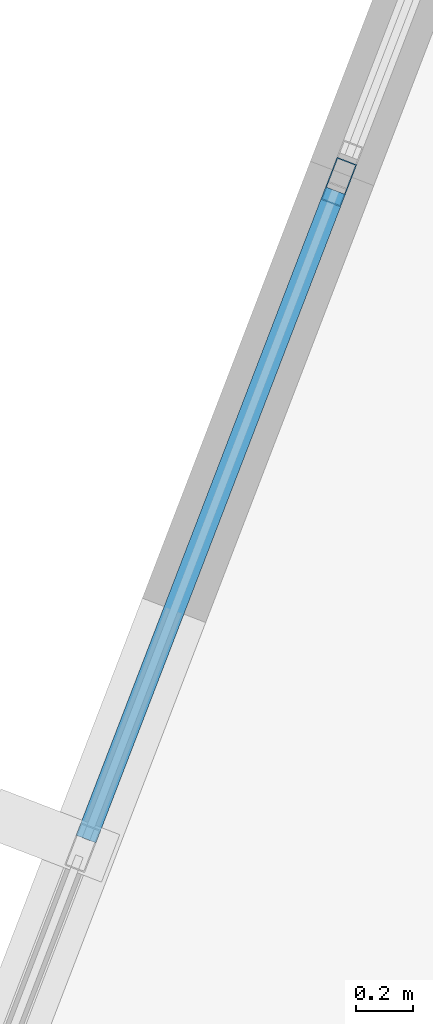
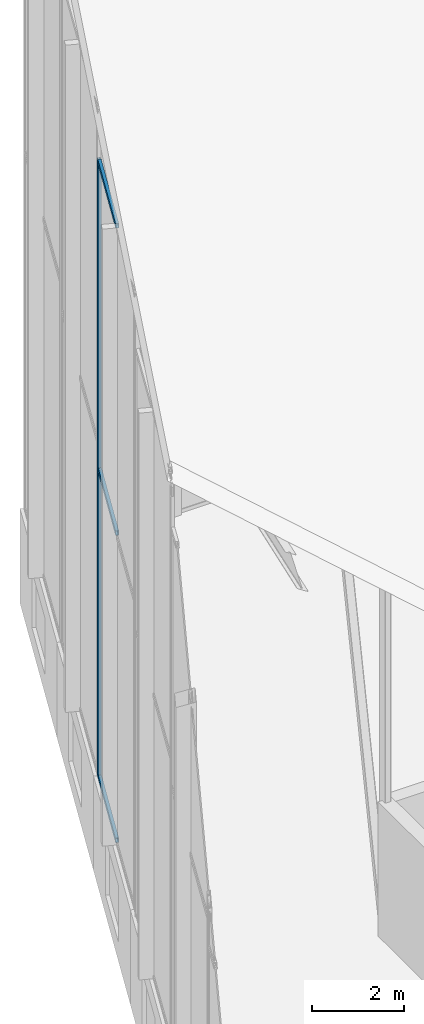
# One storey, part 26 of 74: 4 members, 1 element without a shape of its own.
"""IFC4 building model written with IfcOpenShell, lengths in metres."""

import ifcopenshell
import ifcopenshell.guid

model = None  # the IFC model being written
_history = None  # IfcOwnerHistory: only IFC2X3 demands one
_inside = {}  # id of a spatial element -> (the spatial element, [elements in it])
_under = {}  # id of a project, library or spatial element -> (it, [spatial elements below it])
_declared = {}  # id of a project -> (the project, [libraries it declares])
_typed = {}  # id of a type object -> (the type object, [elements of that type])
_made_of = {}  # id of a material, layer set ... -> (it, [elements and type objects made of it])


def new_model(schema):
    """Start an empty IFC model of exactly this schema.

    Asked for "IFC4X3", IfcOpenShell would pick the latest addendum, in which some entities
    have other attributes; the version numbers below select the first issue.
    IFC2X3 requires an IfcOwnerHistory on every rooted entity: one is made here for all.
    """
    global model, _history
    if schema == "IFC4X3":
        model = ifcopenshell.file(schema_version=(4, 3, 0, 0))
    else:
        model = ifcopenshell.file(schema=schema)
    _inside.clear()
    _under.clear()
    _declared.clear()
    _typed.clear()
    _made_of.clear()
    _history = None
    if model.schema == "IFC2X3":
        org = make("IfcOrganization", Name="unknown")
        user = make(
            "IfcPersonAndOrganization",
            ThePerson=make("IfcPerson", FamilyName="unknown"),
            TheOrganization=org,
        )
        app = make(
            "IfcApplication",
            ApplicationDeveloper=org,
            Version="unknown",
            ApplicationFullName="unknown",
            ApplicationIdentifier="unknown",
        )
        _history = make(
            "IfcOwnerHistory",
            OwningUser=user,
            OwningApplication=app,
            ChangeAction="ADDED",
            CreationDate=0,
        )
    return model


def make(cls, **values):
    """One entity of the class cls with the attributes given. An attribute that is None is left unset."""
    return model.create_entity(
        cls, **{name: value for name, value in values.items() if value is not None}
    )


def rooted(cls, **values):
    """An entity with a GlobalId (a new one), such as an element, a storey or a relation."""
    return make(cls, GlobalId=ifcopenshell.guid.new(), OwnerHistory=_history, **values)


def si_unit(unit_type, name, prefix=None):
    """IfcSIUnit, for example si_unit("LENGTHUNIT", "METRE", prefix="MILLI")."""
    return make("IfcSIUnit", UnitType=unit_type, Prefix=prefix, Name=name)


def assignment(units):
    """IfcUnitAssignment: the units of a project."""
    return None if units is None else make("IfcUnitAssignment", Units=units)


def point(xyz):
    """IfcCartesianPoint."""
    return None if xyz is None else make("IfcCartesianPoint", Coordinates=xyz)


def direction(xyz):
    """IfcDirection."""
    return None if xyz is None else make("IfcDirection", DirectionRatios=xyz)


def frame(location, z_axis=None, x_axis=None):
    """IfcAxis2Placement3D, a coordinate frame: its origin and axes. An axis left out is left unset."""
    return make(
        "IfcAxis2Placement3D",
        Location=point(location),
        Axis=direction(z_axis),
        RefDirection=direction(x_axis),
    )


def frame_2d(location, x_axis=None):
    """IfcAxis2Placement2D, a coordinate frame in the plane: its origin and x axis."""
    return make(
        "IfcAxis2Placement2D", Location=point(location), RefDirection=direction(x_axis)
    )


def origin():
    """The frame at (0, 0, 0) with its axes left unset."""
    return frame((0.0, 0.0, 0.0))


def origin_2d():
    """The frame at (0, 0) in the plane with its x axis left unset."""
    return frame_2d((0.0, 0.0))


def place(relative_to, where):
    """IfcLocalPlacement: puts the frame where relative to a parent placement (None: the world)."""
    return make(
        "IfcLocalPlacement", PlacementRelTo=relative_to, RelativePlacement=where
    )


def context(
    kind, dimensions, precision=None, world=None, true_north=None, identifier=None
):
    """IfcGeometricRepresentationContext, for example the 3D "Model" context."""
    return make(
        "IfcGeometricRepresentationContext",
        ContextIdentifier=identifier,
        ContextType=kind,
        CoordinateSpaceDimension=dimensions,
        Precision=precision,
        WorldCoordinateSystem=world,
        TrueNorth=true_north,
    )


def subcontext(parent, identifier, kind, view, scale=None):
    """IfcGeometricRepresentationSubContext, for example "Body" below "Model"."""
    return make(
        "IfcGeometricRepresentationSubContext",
        ContextIdentifier=identifier,
        ContextType=kind,
        ParentContext=parent,
        TargetScale=scale,
        TargetView=view,
    )


def project(units=None, contexts=None):
    """IfcProject with its units and contexts."""
    return rooted(
        "IfcProject",
        Name="project",
        RepresentationContexts=contexts,
        UnitsInContext=assignment(units),
    )


def spatial(cls, under=None, at=None, **own):
    """A site, building, storey or space (cls), placed at a placement, below another one or the project."""
    s = rooted(cls, ObjectPlacement=at, **own)
    if under is not None:
        _under.setdefault(under.id(), (under, []))[1].append(s)
    return s


def profile(cls, at=None, kind="AREA", **sizes):
    """A parametric profile (cls). Its sizes go by their IFC names, for example OverallWidth=200.0."""
    return make(cls, ProfileType=kind, Position=at, **sizes)


def hollow_rectangle(**sizes):
    """IfcRectangleHollowProfileDef."""
    return profile("IfcRectangleHollowProfileDef", **sizes)


def extrude(swept, where, along, depth):
    """IfcExtrudedAreaSolid: the profile swept, set in the frame where, extruded along a direction by depth."""
    return make(
        "IfcExtrudedAreaSolid",
        SweptArea=swept,
        Position=where,
        ExtrudedDirection=direction(along),
        Depth=depth,
    )


def shape(context_of_items, identifier, shape_type, items):
    """IfcShapeRepresentation: the items that make up one representation, for example the "Body"."""
    return make(
        "IfcShapeRepresentation",
        ContextOfItems=context_of_items,
        RepresentationIdentifier=identifier,
        RepresentationType=shape_type,
        Items=items,
    )


def material(Name=None, Category=None):
    """IfcMaterial."""
    return make("IfcMaterial", Name=Name, Category=Category)


def layer(
    of_material, thickness, ventilated=None, Name=None, Category=None, Priority=None
):
    """IfcMaterialLayer: one layer of a wall or slab, of a material (None: an air gap)."""
    return make(
        "IfcMaterialLayer",
        Material=of_material,
        LayerThickness=thickness,
        IsVentilated=ventilated,
        Name=Name,
        Category=Category,
        Priority=Priority,
    )


def layer_set(layers, Name=None):
    """IfcMaterialLayerSet."""
    return make("IfcMaterialLayerSet", MaterialLayers=layers, LayerSetName=Name)


def material_profile(
    of_material, cross_section, Name=None, Category=None, Priority=None
):
    """IfcMaterialProfile: a cross section and its material."""
    return make(
        "IfcMaterialProfile",
        Name=Name,
        Material=of_material,
        Profile=cross_section,
        Priority=Priority,
        Category=Category,
    )


def profile_set(profiles, Name=None, composite=None):
    """IfcMaterialProfileSet."""
    return make(
        "IfcMaterialProfileSet",
        Name=Name,
        MaterialProfiles=profiles,
        CompositeProfile=composite,
    )


def made_of(thing, what):
    """Note that an element or type object is made of a material, layer set ...; save() writes the relation."""
    if what is not None:
        _made_of.setdefault(what.id(), (what, []))[1].append(thing)
    return thing


def type_object(cls, material=None, **own):
    """A type object (cls), such as IfcWallType, which elements share."""
    return made_of(rooted(cls, **own), material)


def element(
    cls,
    number,
    at=None,
    inside=None,
    cuts=None,
    type_object=None,
    material=None,
    context=None,
    identifier="Body",
    shape_type=None,
    held_by="IfcProductDefinitionShape",
    body=None,
    shapes=None,
    **own,
):
    """One element of the class cls, such as IfcWall. Its Tag is "e" and its number.

    at: its placement. inside: the storey or other place that contains it. cuts: it is an
    opening in that element (IfcRelVoidsElement). A single representation is given by context,
    identifier, shape_type and body (its items); several are given by shapes. held_by: the class
    of the entity that holds the representations. save() writes the other relations.
    """
    e = rooted(cls, Tag="e%d" % number, ObjectPlacement=at, **own)
    if body is not None:
        shapes = [shape(context, identifier, shape_type, body)]
    if shapes is not None:
        e.Representation = make(held_by, Representations=shapes)
    if inside is not None:
        _inside.setdefault(inside.id(), (inside, []))[1].append(e)
    if cuts is not None:
        rooted(
            "IfcRelVoidsElement", RelatingBuildingElement=cuts, RelatedOpeningElement=e
        )
    if type_object is not None:
        _typed.setdefault(type_object.id(), (type_object, []))[1].append(e)
    return made_of(e, material)


def aggregate(whole, parts):
    """IfcRelAggregates: a whole, such as a stair, and the parts it consists of."""
    return rooted("IfcRelAggregates", RelatingObject=whole, RelatedObjects=parts)


def save(model, path):
    """Write the relations noted so far, then the file.

    IfcRelAggregates (storeys below a building ...), IfcRelContainedInSpatialStructure (elements
    in a storey), IfcRelDefinesByType, IfcRelAssociatesMaterial and IfcRelDeclares: one each for
    every whole, place, type object, material and project.
    """
    for whole, parts in _under.values():
        aggregate(whole, parts)
    for where, things in _inside.values():
        rooted(
            "IfcRelContainedInSpatialStructure",
            RelatedElements=things,
            RelatingStructure=where,
        )
    for kind, things in _typed.values():
        rooted("IfcRelDefinesByType", RelatedObjects=things, RelatingType=kind)
    for what, things in _made_of.values():
        rooted("IfcRelAssociatesMaterial", RelatedObjects=things, RelatingMaterial=what)
    for by, libraries in _declared.values():
        rooted("IfcRelDeclares", RelatingContext=by, RelatedDefinitions=libraries)
    model.write(path)


model = new_model("IFC4")

# Units and contexts
model_context = context("Model", 3, precision=1e-05, world=origin(), true_north=direction((0.0, 1.0)))
body_context = subcontext(model_context, "Body", "Model", "MODEL_VIEW")
ifc_project = project(units=[si_unit("LENGTHUNIT", "METRE"), si_unit("AREAUNIT", "SQUARE_METRE"), si_unit("VOLUMEUNIT", "CUBIC_METRE"), si_unit("PLANEANGLEUNIT", "RADIAN"), si_unit("MASSUNIT", "GRAM", prefix="KILO")], contexts=[model_context])

# Site, building, storey
site_placement = place(None, origin())
site = spatial("IfcSite", under=ifc_project, at=site_placement, CompositionType="ELEMENT")
building_placement = place(site_placement, origin())
building = spatial("IfcBuilding", under=site, at=building_placement, Name="Keshet Zoharim Tower", CompositionType="ELEMENT")
storey_placement = place(building_placement, frame((0.0, 0.0, 320.0)))
storey = spatial("IfcBuildingStorey", under=building, at=storey_placement, Name="RF", CompositionType="ELEMENT", Elevation=320.0)

# Curtain wall, members
ifc_material = material(Name="Aluminium 6063-T6", Category="aluminium")
ifc_layer = layer(ifc_material, 0.260009765625)
ifc_layer_set = layer_set([ifc_layer], Name="Aluminium 6063-T6")
curtain_wall_type = type_object("IfcCurtainWallType", Name="CW-SYS-06", PredefinedType="NOTDEFINED", material=ifc_layer_set)
curtain_wall_placement = place(storey_placement, origin())
curtain_wall = element("IfcCurtainWall", 1, at=curtain_wall_placement, inside=storey, type_object=curtain_wall_type, Name="Slanted Crown Curtain Wall 06", PredefinedType="NOTDEFINED")
ifc_material_profile_1 = material_profile(ifc_material, hollow_rectangle(XDim=0.074951171875, YDim=0.159912109375, WallThickness=0.00390625, at=origin_2d()), Name="MUL-75x160")
ifc_profile_set_1 = profile_set([ifc_material_profile_1], Name="Aluminium 6063-T6")
member_type_1 = type_object("IfcMemberType", Name="CWM-M15", PredefinedType="MULLION", material=ifc_profile_set_1)
member_1_placement = place(storey_placement, frame((10.825439453125, 43.045654296875, 2.5), z_axis=(0.0, 0.0, 1.0), x_axis=(-0.933320389385, 0.359044636163, 0.0)))
member_1 = element("IfcMember", 2, at=member_1_placement, type_object=member_type_1, Name="CW-06 mullion 3", PredefinedType="MULLION", context=body_context, shape_type="SweptSolid", body=[
    extrude(hollow_rectangle(XDim=0.074951171875, YDim=0.159912109375, WallThickness=0.00390625, at=origin_2d()), origin(), (0.0, 0.0, 1.0), 16.30810546875),
])
ifc_material_profile_2 = material_profile(ifc_material, hollow_rectangle(XDim=0.074951171875, YDim=0.1201171875, WallThickness=0.00390625, at=origin_2d()), Name="TRN-75x120")
ifc_profile_set_2 = profile_set([ifc_material_profile_2], Name="Aluminium 6063-T6")
member_type_2 = type_object("IfcMemberType", Name="CWT-T12", PredefinedType="USERDEFINED", material=ifc_profile_set_2)
member_2_placement = place(storey_placement, frame((9.93115234375, 40.721435546875, 2.532470703125), z_axis=(0.359078919535, 0.933307199986, 0.0), x_axis=(-0.933307199986, 0.359078919535, 0.0)))
member_2 = element("IfcMember", 3, at=member_2_placement, type_object=member_type_2, Name="CW-06 transom 2.1", ObjectType="TRANSOM", PredefinedType="USERDEFINED", context=body_context, shape_type="SweptSolid", body=[
    extrude(hollow_rectangle(XDim=0.074951171875, YDim=0.1201171875, WallThickness=0.00390625, at=origin_2d()), origin(), (0.0, 0.0, 1.0), 2.457763671875),
])
member_3_placement = place(storey_placement, frame((9.93115234375, 40.721435546875, 10.654052734375), z_axis=(0.359078919535, 0.933307199986, 0.0), x_axis=(-0.933307199986, 0.359078919535, 0.0)))
member_3 = element("IfcMember", 4, at=member_3_placement, type_object=member_type_2, Name="CW-06 transom 2.2", ObjectType="TRANSOM", PredefinedType="USERDEFINED", context=body_context, shape_type="SweptSolid", body=[
    extrude(hollow_rectangle(XDim=0.074951171875, YDim=0.1201171875, WallThickness=0.00390625, at=origin_2d()), origin(), (0.0, 0.0, 1.0), 2.457763671875),
])
member_4_placement = place(storey_placement, frame((9.93115234375, 40.721435546875, 18.775390625), z_axis=(0.359078919535, 0.933307199986, 0.0), x_axis=(-0.933307199986, 0.359078919535, 0.0)))
member_4 = element("IfcMember", 5, at=member_4_placement, type_object=member_type_2, Name="CW-06 transom 2.3", ObjectType="TRANSOM", PredefinedType="USERDEFINED", context=body_context, shape_type="SweptSolid", body=[
    extrude(hollow_rectangle(XDim=0.074951171875, YDim=0.1201171875, WallThickness=0.00390625, at=origin_2d()), origin(), (0.0, 0.0, 1.0), 2.457763671875),
])
aggregate(curtain_wall, [member_1, member_2, member_3, member_4])

save(model, "model.ifc")
